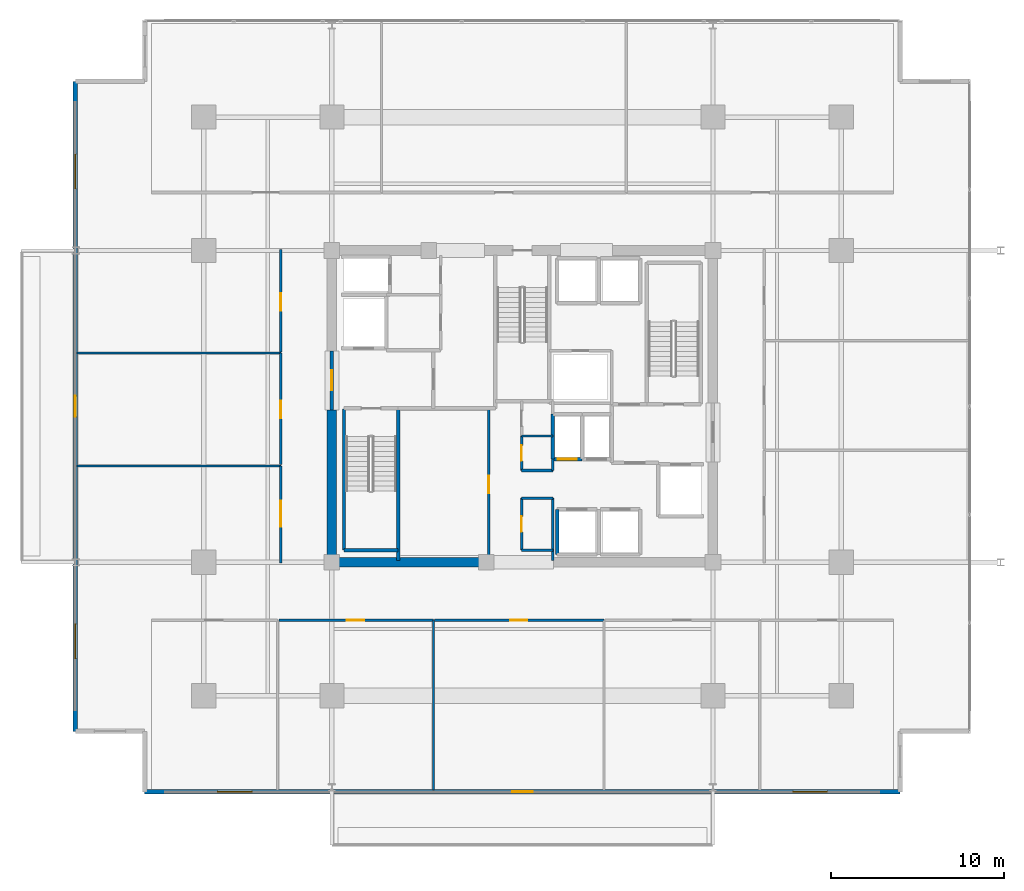
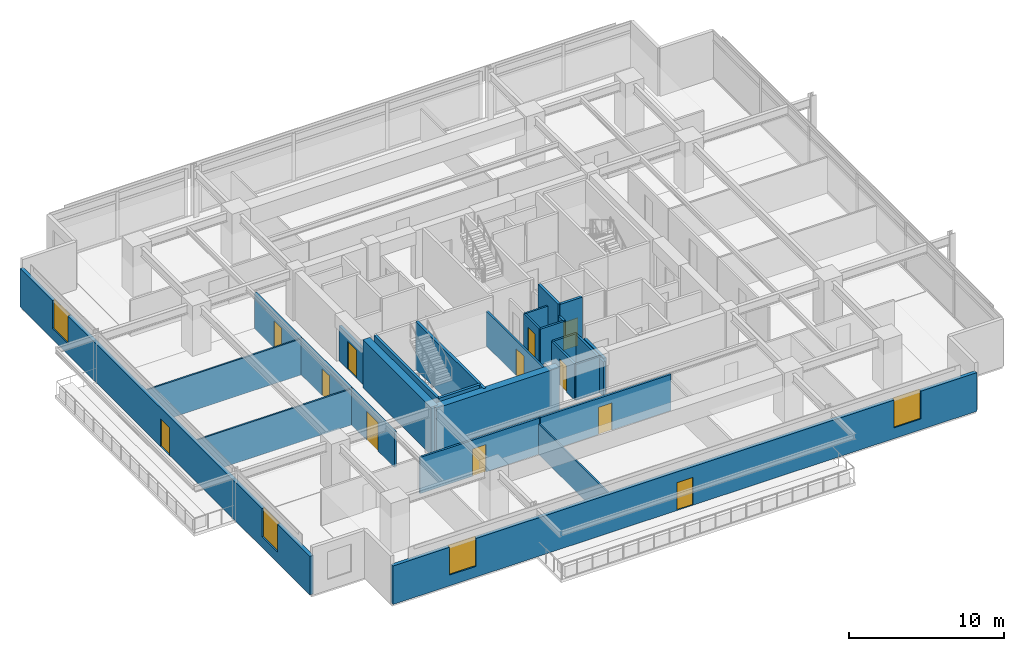
# One storey, part 14 of 22: 28 walls, 12 doors, 4 windows, 16 openings.
"""IFC4 building model written with IfcOpenShell, lengths in metres."""

from ifc_helpers import new_model, si_unit, direction, frame, frame_2d, origin, place, context, subcontext, project, spatial, rectangle, extrude, material, layer, layer_set, type_object, element, fill, save


model = new_model("IFC4")

# Units and contexts
model_context = context("Model", 3, precision=1e-05, world=origin(), true_north=direction((0.0, 1.0)))
body_context = subcontext(model_context, "Body", "Model", "MODEL_VIEW")
ifc_project = project(units=[si_unit("LENGTHUNIT", "METRE"), si_unit("AREAUNIT", "SQUARE_METRE"), si_unit("VOLUMEUNIT", "CUBIC_METRE"), si_unit("PLANEANGLEUNIT", "RADIAN"), si_unit("MASSUNIT", "GRAM", prefix="KILO")], contexts=[model_context])

# Site, building, storey
site_placement = place(None, origin())
site = spatial("IfcSite", under=ifc_project, at=site_placement, CompositionType="ELEMENT")
building_placement = place(site_placement, origin())
building = spatial("IfcBuilding", under=site, at=building_placement, Name="Kovane Verandah Tower", CompositionType="ELEMENT")
storey_placement = place(building_placement, frame((0.0, 0.0, 225.199951171875)))
storey = spatial("IfcBuildingStorey", under=building, at=storey_placement, Name="L52", CompositionType="ELEMENT", Elevation=225.199951171875)

# Walls
ifc_material_1 = material(Name="Fire-Rated Gypsum Stud Partition", Category="gypsum")
ifc_layer_1 = layer(ifc_material_1, 0.14990234375)
ifc_layer_set_1 = layer_set([ifc_layer_1], Name="Fire-Rated Gypsum Stud Partition")
wall_type_1 = type_object("IfcWallType", Name="WL-COR-150", PredefinedType="PARTITIONING", material=ifc_layer_set_1)
for number, where, z_axis, x_axis, name in (
    (1, (39.949951171875, 19.199951171875, 0.0), (0.0, 0.0, 1.0), (1.0, 0.0, 0.0), "L52 Central Core Strip South Wall"),
    (2, (39.949951171875, 22.199951171875, 0.0), (0.0, 0.0, 1.0), (1.0, 0.0, 0.0), "L52 Core Cross-Passage South Wall"),
    (3, (39.949951171875, 23.800048828125, 0.0), (0.0, 0.0, 1.0), (1.0, 0.0, 0.0), "L52 Core Cross-Passage North Wall"),
):
    element("IfcWall", number, at=place(storey_placement, frame(where, z_axis=z_axis, x_axis=x_axis)), inside=storey, type_object=wall_type_1, Name=name, PredefinedType="PARTITIONING", context=body_context, shape_type="SweptSolid", body=[
        extrude(rectangle(XDim=1.81005859375, YDim=0.14990234375, at=frame_2d((0.905029296875, 0.0))), origin(), (0.0, 0.0, 1.0), 2.85009765625),
    ])
wall_1_placement = place(storey_placement, frame((41.760009765625, 18.60009765625, 0.0), z_axis=(0.0, 0.0, 1.0), x_axis=(0.0, 1.0, 0.0)))
element("IfcWall", 4, at=wall_1_placement, inside=storey, type_object=wall_type_1, Name="L52 Central Core Strip Lower East Wall", PredefinedType="PARTITIONING", context=body_context, shape_type="SweptSolid", body=[
    extrude(rectangle(XDim=3.599853515625, YDim=0.14990234375, at=frame_2d((1.7998046875, 0.0))), origin(), (0.0, 0.0, 1.0), 2.755126953125),
])
wall_2_placement = place(storey_placement, frame((41.760009765625, 23.800048828125, 0.0), z_axis=(0.0, 0.0, 1.0), x_axis=(0.0, 1.0, 0.0)))
element("IfcWall", 5, at=wall_2_placement, inside=storey, type_object=wall_type_1, Name="L52 Central Core Strip Middle East Wall", PredefinedType="PARTITIONING", context=body_context, shape_type="SweptSolid", body=[
    extrude(rectangle(XDim=0.64990234375, YDim=0.14990234375, at=frame_2d((0.324951171875, 0.0))), origin(), (0.0, 0.0, 1.0), 2.85009765625),
])

# Wall, opening, door
wall_3_placement = place(storey_placement, frame((39.949951171875, 19.199951171875, 0.0), z_axis=(0.0, 0.0, 1.0), x_axis=(0.0, 1.0, 0.0)))
wall_3 = element("IfcWall", 6, at=wall_3_placement, inside=storey, type_object=wall_type_1, Name="L52 Male Toilet Partition", PredefinedType="PARTITIONING", context=body_context, shape_type="SweptSolid", body=[
    extrude(rectangle(XDim=3.0, YDim=0.14990234375, at=frame_2d((1.5, 0.0))), origin(), (0.0, 0.0, 1.0), 2.85009765625),
])
opening_1_placement = place(wall_3_placement, frame((1.050048828125, 0.0, 0.0)))
opening_1 = element("IfcOpeningElement", 7, at=opening_1_placement, cuts=wall_3, Name="Opening DR-L52-028", PredefinedType="OPENING", context=body_context, shape_type="SweptSolid", body=[
    extrude(rectangle(XDim=0.89990234375, YDim=2.10009765625, at=frame_2d((0.449951171875, 1.050048828125))), frame((0.0, 0.074951171875, 0.0), z_axis=(0.0, -1.0, 0.0), x_axis=(1.0, 0.0, 0.0)), (0.0, 0.0, 1.0), 0.14990234375),
])
ifc_material_2 = material(Name="Moisture-Resistant Laminate Washroom Door", Category="wood")
door_type_1 = type_object("IfcDoorType", Name="DR-WC-900", OperationType="SINGLE_SWING_LEFT", PredefinedType="DOOR", material=ifc_material_2)
door_1_placement = place(opening_1_placement, origin())
door_1 = element("IfcDoor", 8, at=door_1_placement, inside=storey, type_object=door_type_1, Name="L52 Male Toilet Door", OperationType="SINGLE_SWING_RIGHT", OverallHeight=2.10009765625, OverallWidth=0.89990234375, PredefinedType="DOOR", context=body_context, shape_type="SweptSolid", body=[
    extrude(rectangle(XDim=0.89990234375, YDim=2.10009765625, at=frame_2d((0.449951171875, 1.050048828125))), frame((0.0, 0.02490234375, 0.0), z_axis=(0.0, -1.0, 0.0), x_axis=(1.0, 0.0, 0.0)), (0.0, 0.0, 1.0), 0.050048828125),
])
fill(opening_1, door_1)

wall_4_placement = place(storey_placement, frame((39.949951171875, 23.800048828125, 0.0), z_axis=(0.0, 0.0, 1.0), x_axis=(0.0, 1.0, 0.0)))
wall_4 = element("IfcWall", 9, at=wall_4_placement, inside=storey, type_object=wall_type_1, Name="L52 Female Toilet Partition", PredefinedType="PARTITIONING", context=body_context, shape_type="SweptSolid", body=[
    extrude(rectangle(XDim=2.0, YDim=0.14990234375, at=frame_2d((1.0, 0.0))), origin(), (0.0, 0.0, 1.0), 2.85009765625),
])
opening_2_placement = place(wall_4_placement, frame((0.550048828125, 0.0, 0.0)))
opening_2 = element("IfcOpeningElement", 10, at=opening_2_placement, cuts=wall_4, Name="Opening DR-L52-027", PredefinedType="OPENING", context=body_context, shape_type="SweptSolid", body=[
    extrude(rectangle(XDim=0.89990234375, YDim=2.10009765625, at=frame_2d((0.449951171875, 1.050048828125))), frame((0.0, 0.074951171875, 0.0), z_axis=(0.0, -1.0, 0.0), x_axis=(1.0, 0.0, 0.0)), (0.0, 0.0, 1.0), 0.14990234375),
])
door_2_placement = place(opening_2_placement, origin())
door_2 = element("IfcDoor", 11, at=door_2_placement, inside=storey, type_object=door_type_1, Name="L52 Female Toilet Door", OperationType="SINGLE_SWING_LEFT", OverallHeight=2.10009765625, OverallWidth=0.89990234375, PredefinedType="DOOR", context=body_context, shape_type="SweptSolid", body=[
    extrude(rectangle(XDim=0.89990234375, YDim=2.10009765625, at=frame_2d((0.449951171875, 1.050048828125))), frame((0.0, 0.02490234375, 0.0), z_axis=(0.0, -1.0, 0.0), x_axis=(1.0, 0.0, 0.0)), (0.0, 0.0, 1.0), 0.050048828125),
])
fill(opening_2, door_2)

wall_5_placement = place(storey_placement, frame((38.050048828125, 18.60009765625, 0.0), z_axis=(0.0, 0.0, 1.0), x_axis=(0.0, 1.0, 0.0)))
wall_5 = element("IfcWall", 12, at=wall_5_placement, inside=storey, type_object=wall_type_1, Name="L52 Tenant Wellness and Archive Suite Partition", PredefinedType="PARTITIONING", context=body_context, shape_type="SweptSolid", body=[
    extrude(rectangle(XDim=8.77978515625, YDim=0.14990234375, at=frame_2d((4.389892578125, 0.0))), origin(), (0.0, 0.0, 1.0), 2.755126953125),
])
opening_3_placement = place(wall_5_placement, frame((3.889892578125, 0.0, 0.0)))
opening_3 = element("IfcOpeningElement", 13, at=opening_3_placement, cuts=wall_5, Name="Opening DR-L52-015", PredefinedType="OPENING", context=body_context, shape_type="SweptSolid", body=[
    extrude(rectangle(XDim=1.0, YDim=2.14990234375, at=frame_2d((0.5, 1.074951171875))), frame((0.0, 0.074951171875, 0.0), z_axis=(0.0, -1.0, 0.0), x_axis=(1.0, 0.0, 0.0)), (0.0, 0.0, 1.0), 0.14990234375),
])
ifc_material_3 = material(Name="FSC Spotted-Gum Timber Fire-Rated Office Door", Category="wood")
door_type_2 = type_object("IfcDoorType", Name="DR-OFF-1000", OperationType="SINGLE_SWING_LEFT", PredefinedType="DOOR", material=ifc_material_3)
door_3_placement = place(opening_3_placement, origin())
door_3 = element("IfcDoor", 14, at=door_3_placement, inside=storey, type_object=door_type_2, Name="L52 Tenant Wellness and Archive Suite Door", OperationType="SINGLE_SWING_LEFT", OverallHeight=2.14990234375, OverallWidth=1.0, PredefinedType="DOOR", context=body_context, shape_type="SweptSolid", body=[
    extrude(rectangle(XDim=1.0, YDim=2.14990234375, at=frame_2d((0.5, 1.074951171875))), frame((0.0, 0.02490234375, 0.0), z_axis=(0.0, -1.0, 0.0), x_axis=(1.0, 0.0, 0.0)), (0.0, 0.0, 1.0), 0.050048828125),
])
fill(opening_3, door_3)

wall_6_placement = place(storey_placement, frame((25.939697265625, 15.14990234375, 0.0), z_axis=(0.0, 0.0, 1.0), x_axis=(1.0, 0.0, 0.0)))
wall_6 = element("IfcWall", 15, at=wall_6_placement, inside=storey, type_object=wall_type_1, Name="L52 Collaboration Hub S2 Corridor Partition", PredefinedType="PARTITIONING", context=body_context, shape_type="SweptSolid", body=[
    extrude(rectangle(XDim=8.922119140625, YDim=0.14990234375, at=frame_2d((4.4609375, 0.0))), origin(), (0.0, 0.0, 1.0), 2.85009765625),
])
opening_4_placement = place(wall_6_placement, frame((3.926025390625, 0.0, 0.0)))
opening_4 = element("IfcOpeningElement", 16, at=opening_4_placement, cuts=wall_6, Name="Opening DR-L52-021", PredefinedType="OPENING", context=body_context, shape_type="SweptSolid", body=[
    extrude(rectangle(XDim=1.0, YDim=2.14990234375, at=frame_2d((0.5, 1.074951171875))), frame((0.0, 0.074951171875, 0.0), z_axis=(0.0, -1.0, 0.0), x_axis=(1.0, 0.0, 0.0)), (0.0, 0.0, 1.0), 0.14990234375),
])
door_4_placement = place(opening_4_placement, origin())
door_4 = element("IfcDoor", 17, at=door_4_placement, inside=storey, type_object=door_type_2, Name="L52 Collaboration Hub S2 Entrance Door", OperationType="SINGLE_SWING_LEFT", OverallHeight=2.14990234375, OverallWidth=1.0, PredefinedType="DOOR", context=body_context, shape_type="SweptSolid", body=[
    extrude(rectangle(XDim=1.0, YDim=2.14990234375, at=frame_2d((0.5, 1.074951171875))), frame((0.0, 0.02490234375, 0.0), z_axis=(0.0, -1.0, 0.0), x_axis=(1.0, 0.0, 0.0)), (0.0, 0.0, 1.0), 0.050048828125),
])
fill(opening_4, door_4)

wall_7_placement = place(storey_placement, frame((34.931640625, 15.14990234375, 0.0), z_axis=(0.0, 0.0, 1.0), x_axis=(1.0, 0.0, 0.0)))
wall_7 = element("IfcWall", 18, at=wall_7_placement, inside=storey, type_object=wall_type_1, Name="L52 Document and Print Room S3 Corridor Partition", PredefinedType="PARTITIONING", context=body_context, shape_type="SweptSolid", body=[
    extrude(rectangle(XDim=9.778564453125, YDim=0.14990234375, at=frame_2d((4.88916015625, 0.0))), origin(), (0.0, 0.0, 1.0), 2.85009765625),
])
opening_5_placement = place(wall_7_placement, frame((4.354248046875, 0.0, 0.0)))
opening_5 = element("IfcOpeningElement", 19, at=opening_5_placement, cuts=wall_7, Name="Opening DR-L52-022", PredefinedType="OPENING", context=body_context, shape_type="SweptSolid", body=[
    extrude(rectangle(XDim=1.0, YDim=2.14990234375, at=frame_2d((0.5, 1.074951171875))), frame((0.0, 0.074951171875, 0.0), z_axis=(0.0, -1.0, 0.0), x_axis=(1.0, 0.0, 0.0)), (0.0, 0.0, 1.0), 0.14990234375),
])
door_5_placement = place(opening_5_placement, origin())
door_5 = element("IfcDoor", 20, at=door_5_placement, inside=storey, type_object=door_type_2, Name="L52 Document and Print Room S3 Entrance Door", OperationType="SINGLE_SWING_RIGHT", OverallHeight=2.14990234375, OverallWidth=1.0, PredefinedType="DOOR", context=body_context, shape_type="SweptSolid", body=[
    extrude(rectangle(XDim=1.0, YDim=2.14990234375, at=frame_2d((0.5, 1.074951171875))), frame((0.0, 0.02490234375, 0.0), z_axis=(0.0, -1.0, 0.0), x_axis=(1.0, 0.0, 0.0)), (0.0, 0.0, 1.0), 0.050048828125),
])
fill(opening_5, door_5)

wall_8_placement = place(storey_placement, frame((26.050048828125, 18.449951171875, 0.0), z_axis=(0.0, 0.0, 1.0), x_axis=(0.0, 1.0, 0.0)))
wall_8 = element("IfcWall", 21, at=wall_8_placement, inside=storey, type_object=wall_type_1, Name="L52 Client Boardroom W1 Corridor Partition", PredefinedType="PARTITIONING", context=body_context, shape_type="SweptSolid", body=[
    extrude(rectangle(XDim=5.611083984375, YDim=0.14990234375, at=frame_2d((2.8056640625, 0.0))), origin(), (0.0, 0.0, 1.0), 2.85009765625),
])
opening_6_placement = place(wall_8_placement, frame((2.095458984375, 0.0, 0.0)))
opening_6 = element("IfcOpeningElement", 22, at=opening_6_placement, cuts=wall_8, Name="Opening DR-L52-029", PredefinedType="OPENING", context=body_context, shape_type="SweptSolid", body=[
    extrude(rectangle(XDim=1.5, YDim=2.25, at=frame_2d((0.75, 1.125))), frame((0.0, 0.074951171875, 0.0), z_axis=(0.0, -1.0, 0.0), x_axis=(1.0, 0.0, 0.0)), (0.0, 0.0, 1.0), 0.14990234375),
])
ifc_material_4 = material(Name="Glazed Timber Fire-Rated Double Door", Category="wood")
door_type_3 = type_object("IfcDoorType", Name="DR-CONF-1500", OperationType="DOUBLE_DOOR_SINGLE_SWING", PredefinedType="DOOR", material=ifc_material_4)
door_6_placement = place(opening_6_placement, origin())
door_6 = element("IfcDoor", 23, at=door_6_placement, inside=storey, type_object=door_type_3, Name="L52 Client Boardroom W1 Entrance Door", OperationType="DOUBLE_DOOR_SINGLE_SWING", OverallHeight=2.25, OverallWidth=1.5, PredefinedType="DOOR", context=body_context, shape_type="SweptSolid", body=[
    extrude(rectangle(XDim=1.5, YDim=2.25, at=frame_2d((0.75, 1.125))), frame((0.0, 0.02490234375, 0.0), z_axis=(0.0, -1.0, 0.0), x_axis=(1.0, 0.0, 0.0)), (0.0, 0.0, 1.0), 0.050048828125),
])
fill(opening_6, door_6)

wall_9_placement = place(storey_placement, frame((26.050048828125, 24.131103515625, 0.0), z_axis=(0.0, 0.0, 1.0), x_axis=(0.0, 1.0, 0.0)))
wall_9 = element("IfcWall", 24, at=wall_9_placement, inside=storey, type_object=wall_type_1, Name="L52 Meeting Room W2 Corridor Partition", PredefinedType="PARTITIONING", context=body_context, shape_type="SweptSolid", body=[
    extrude(rectangle(XDim=6.44580078125, YDim=0.14990234375, at=frame_2d((3.222900390625, 0.0))), origin(), (0.0, 0.0, 1.0), 2.85009765625),
])
opening_7_placement = place(wall_9_placement, frame((2.68798828125, 0.0, 0.0)))
opening_7 = element("IfcOpeningElement", 25, at=opening_7_placement, cuts=wall_9, Name="Opening DR-L52-030", PredefinedType="OPENING", context=body_context, shape_type="SweptSolid", body=[
    extrude(rectangle(XDim=1.0, YDim=2.14990234375, at=frame_2d((0.5, 1.074951171875))), frame((0.0, 0.074951171875, 0.0), z_axis=(0.0, -1.0, 0.0), x_axis=(1.0, 0.0, 0.0)), (0.0, 0.0, 1.0), 0.14990234375),
])
door_7_placement = place(opening_7_placement, origin())
door_7 = element("IfcDoor", 26, at=door_7_placement, inside=storey, type_object=door_type_2, Name="L52 Meeting Room W2 Entrance Door", OperationType="SINGLE_SWING_RIGHT", OverallHeight=2.14990234375, OverallWidth=1.0, PredefinedType="DOOR", context=body_context, shape_type="SweptSolid", body=[
    extrude(rectangle(XDim=1.0, YDim=2.14990234375, at=frame_2d((0.5, 1.074951171875))), frame((0.0, 0.02490234375, 0.0), z_axis=(0.0, -1.0, 0.0), x_axis=(1.0, 0.0, 0.0)), (0.0, 0.0, 1.0), 0.050048828125),
])
fill(opening_7, door_7)

wall_10_placement = place(storey_placement, frame((26.050048828125, 30.64697265625, 0.0), z_axis=(0.0, 0.0, 1.0), x_axis=(0.0, 1.0, 0.0)))
wall_10 = element("IfcWall", 27, at=wall_10_placement, inside=storey, type_object=wall_type_1, Name="L52 Focus Studio W3 Corridor Partition", PredefinedType="PARTITIONING", context=body_context, shape_type="SweptSolid", body=[
    extrude(rectangle(XDim=5.903076171875, YDim=0.14990234375, at=frame_2d((2.95166015625, 0.0))), origin(), (0.0, 0.0, 1.0), 2.85009765625),
])
opening_8_placement = place(wall_10_placement, frame((2.37646484375, 0.0, 0.0)))
opening_8 = element("IfcOpeningElement", 28, at=opening_8_placement, cuts=wall_10, Name="Opening DR-L52-031", PredefinedType="OPENING", context=body_context, shape_type="SweptSolid", body=[
    extrude(rectangle(XDim=1.0, YDim=2.14990234375, at=frame_2d((0.5, 1.074951171875))), frame((0.0, 0.074951171875, 0.0), z_axis=(0.0, -1.0, 0.0), x_axis=(1.0, 0.0, 0.0)), (0.0, 0.0, 1.0), 0.14990234375),
])
door_8_placement = place(opening_8_placement, origin())
door_8 = element("IfcDoor", 29, at=door_8_placement, inside=storey, type_object=door_type_2, Name="L52 Focus Studio W3 Entrance Door", OperationType="SINGLE_SWING_LEFT", OverallHeight=2.14990234375, OverallWidth=1.0, PredefinedType="DOOR", context=body_context, shape_type="SweptSolid", body=[
    extrude(rectangle(XDim=1.0, YDim=2.14990234375, at=frame_2d((0.5, 1.074951171875))), frame((0.0, 0.02490234375, 0.0), z_axis=(0.0, -1.0, 0.0), x_axis=(1.0, 0.0, 0.0)), (0.0, 0.0, 1.0), 0.050048828125),
])
fill(opening_8, door_8)

# Walls
ifc_material_5 = material(Name="Concrete C60/75", Category="concrete")
ifc_layer_2 = layer(ifc_material_5, 0.550048828125)
ifc_layer_set_2 = layer_set([ifc_layer_2], Name="Concrete C60/75")
wall_type_2 = type_object("IfcWallType", Name="WL-CORE-550", PredefinedType="SHEAR", material=ifc_layer_set_2)
wall_11_placement = place(storey_placement, frame((29.0, 18.5, 0.0), z_axis=(0.0, 0.0, 1.0), x_axis=(1.0, 0.0, 0.0)))
element("IfcWall", 30, at=wall_11_placement, inside=storey, type_object=wall_type_2, Name="L52 Core Shear Wall CS-1", PredefinedType="SHEAR", context=body_context, shape_type="SweptSolid", body=[
    extrude(rectangle(XDim=9.199951171875, YDim=0.550048828125, at=frame_2d((4.60009765625, 0.0))), origin(), (0.0, 0.0, 1.0), 3.775146484375),
])
wall_12_placement = place(storey_placement, frame((29.0, 18.5, 0.0), z_axis=(0.0, 0.0, 1.0), x_axis=(0.0, 1.0, 0.0)))
element("IfcWall", 31, at=wall_12_placement, inside=storey, type_object=wall_type_2, Name="L52 Core Shear Wall CW-1", PredefinedType="SHEAR", context=body_context, shape_type="SweptSolid", body=[
    extrude(rectangle(XDim=8.800048828125, YDim=0.550048828125, at=frame_2d((4.39990234375, 0.0))), origin(), (0.0, 0.0, 1.0), 3.775146484375),
])

# Wall, opening, door
ifc_material_6 = material(Name="Concrete C45/55 Fire Wall", Category="concrete")
ifc_layer_3 = layer(ifc_material_6, 0.199951171875)
ifc_layer_set_3 = layer_set([ifc_layer_3], Name="Concrete C45/55 Fire Wall")
wall_type_3 = type_object("IfcWallType", Name="WL-FFL-200", PredefinedType="PARTITIONING", material=ifc_layer_set_3)
wall_13_placement = place(storey_placement, frame((29.0, 27.300048828125, 0.0), z_axis=(0.0, 0.0, 1.0), x_axis=(0.0, 1.0, 0.0)))
wall_13 = element("IfcWall", 32, at=wall_13_placement, inside=storey, type_object=wall_type_3, Name="W-L52-FFLW-OUT", PredefinedType="PARTITIONING", context=body_context, shape_type="SweptSolid", body=[
    extrude(rectangle(XDim=3.39990234375, YDim=0.199951171875, at=frame_2d((1.699951171875, 0.0))), origin(), (0.0, 0.0, 1.0), 2.755126953125),
])
opening_9_placement = place(wall_13_placement, frame((1.125, 0.0, 0.0)))
opening_9 = element("IfcOpeningElement", 33, at=opening_9_placement, cuts=wall_13, Name="Opening DR-L52-007", PredefinedType="OPENING", context=body_context, shape_type="SweptSolid", body=[
    extrude(rectangle(XDim=1.14990234375, YDim=2.199951171875, at=frame_2d((0.574951171875, 1.10009765625))), frame((0.0, 0.10009765625, 0.0), z_axis=(0.0, -1.0, 0.0), x_axis=(1.0, 0.0, 0.0)), (0.0, 0.0, 1.0), 0.199951171875),
])
ifc_material_7 = material(Name="Smoke-Sealed Firefighting Lobby Door", Category="steel")
door_type_4 = type_object("IfcDoorType", Name="DR-FFL-1150", OperationType="SINGLE_SWING_LEFT", PredefinedType="DOOR", material=ifc_material_7)
door_9_placement = place(opening_9_placement, origin())
door_9 = element("IfcDoor", 34, at=door_9_placement, inside=storey, type_object=door_type_4, Name="L52 West Firefighting Lobby Corridor Door", OperationType="SINGLE_SWING_RIGHT", OverallHeight=2.199951171875, OverallWidth=1.14990234375, PredefinedType="DOOR", context=body_context, shape_type="SweptSolid", body=[
    extrude(rectangle(XDim=1.14990234375, YDim=2.199951171875, at=frame_2d((0.574951171875, 1.10009765625))), frame((0.0, 0.02490234375, 0.0), z_axis=(0.0, -1.0, 0.0), x_axis=(1.0, 0.0, 0.0)), (0.0, 0.0, 1.0), 0.050048828125),
])
fill(opening_9, door_9)

# Wall
ifc_material_8 = material(Name="Concrete C45/55 Lift Shaft Wall", Category="concrete")
ifc_layer_4 = layer(ifc_material_8, 0.199951171875)
ifc_layer_set_4 = layer_set([ifc_layer_4], Name="Concrete C45/55 Lift Shaft Wall")
wall_type_4 = type_object("IfcWallType", Name="WL-LIFT-200", PredefinedType="SOLIDWALL", material=ifc_layer_set_4)
wall_14_placement = place(storey_placement, frame((42.0, 21.550048828125, 0.0), z_axis=(0.0, 0.0, 1.0), x_axis=(0.0, -1.0, 0.0)))
element("IfcWall", 35, at=wall_14_placement, inside=storey, type_object=wall_type_4, Name="L52 Lift PL-M1 W Shaft Wall", PredefinedType="SOLIDWALL", context=body_context, shape_type="SweptSolid", body=[
    extrude(rectangle(XDim=2.60009765625, YDim=0.199951171875, at=frame_2d((1.300048828125, 0.0))), origin(), (0.0, 0.0, 1.0), 2.755126953125),
])

# Wall, opening, door
wall_15_placement = place(storey_placement, frame((41.760009765625, 24.449951171875, 0.0), z_axis=(0.0, 0.0, 1.0), x_axis=(1.0, 0.0, 0.0)))
wall_15 = element("IfcWall", 36, at=wall_15_placement, inside=storey, type_object=wall_type_4, Name="L52 Lift PL-M3 S Shaft Wall", PredefinedType="SOLIDWALL", context=body_context, shape_type="SweptSolid", body=[
    extrude(rectangle(XDim=1.679931640625, YDim=0.199951171875, at=frame_2d((0.83984375, 0.0))), origin(), (0.0, 0.0, 1.0), 3.775146484375),
])
opening_10_placement = place(wall_15_placement, frame((0.2900390625, 0.0, 0.0)))
opening_10 = element("IfcOpeningElement", 37, at=opening_10_placement, cuts=wall_15, Name="Opening LD-L52-006", PredefinedType="OPENING", context=body_context, shape_type="SweptSolid", body=[
    extrude(rectangle(XDim=1.10009765625, YDim=2.199951171875, at=frame_2d((0.550048828125, 1.10009765625))), frame((0.0, 0.10009765625, 0.0), z_axis=(0.0, -1.0, 0.0), x_axis=(1.0, 0.0, 0.0)), (0.0, 0.0, 1.0), 0.199951171875),
])
ifc_material_9 = material(Name="Brushed Stainless Steel Sliding Lift Landing Door", Category="steel")
door_type_5 = type_object("IfcDoorType", Name="DR-LIFT-1100", OperationType="SLIDING_TO_RIGHT", PredefinedType="DOOR", material=ifc_material_9)
door_10_placement = place(opening_10_placement, origin())
door_10 = element("IfcDoor", 38, at=door_10_placement, inside=storey, type_object=door_type_5, Name="L52 Lift PL-M3 Sliding Landing Door", OperationType="SLIDING_TO_RIGHT", OverallHeight=2.199951171875, OverallWidth=1.10009765625, PredefinedType="DOOR", context=body_context, shape_type="SweptSolid", body=[
    extrude(rectangle(XDim=1.10009765625, YDim=2.199951171875, at=frame_2d((0.550048828125, 1.10009765625))), frame((0.0, 0.02490234375, 0.0), z_axis=(0.0, -1.0, 0.0), x_axis=(1.0, 0.0, 0.0)), (0.0, 0.0, 1.0), 0.050048828125),
])
fill(opening_10, door_10)

# Walls
wall_16_placement = place(storey_placement, frame((41.760009765625, 27.050048828125, 0.0), z_axis=(0.0, 0.0, 1.0), x_axis=(0.0, -1.0, 0.0)))
element("IfcWall", 39, at=wall_16_placement, inside=storey, type_object=wall_type_4, Name="L52 Lift PL-M3 W Shaft Wall", PredefinedType="SOLIDWALL", context=body_context, shape_type="SweptSolid", body=[
    extrude(rectangle(XDim=2.60009765625, YDim=0.199951171875, at=frame_2d((1.300048828125, 0.0))), origin(), (0.0, 0.0, 1.0), 3.775146484375),
])
ifc_material_10 = material(Name="Acoustic Fire-Rated Gypsum Partition", Category="gypsum")
ifc_layer_5 = layer(ifc_material_10, 0.1201171875)
ifc_layer_set_5 = layer_set([ifc_layer_5], Name="Acoustic Fire-Rated Gypsum Partition")
wall_type_5 = type_object("IfcWallType", Name="WL-PART-120", PredefinedType="PARTITIONING", material=ifc_layer_set_5)
wall_17_placement = place(storey_placement, frame((39.949951171875, 25.800048828125, 0.0), z_axis=(0.0, 0.0, 1.0), x_axis=(1.0, 0.0, 0.0)))
element("IfcWall", 40, at=wall_17_placement, inside=storey, type_object=wall_type_5, Name="L52 Central Core Strip Upper Dividing Partition", PredefinedType="PARTITIONING", context=body_context, shape_type="SweptSolid", body=[
    extrude(rectangle(XDim=1.81005859375, YDim=0.1201171875, at=frame_2d((0.905029296875, 0.0))), origin(), (0.0, 0.0, 1.0), 2.85009765625),
])
wall_18_placement = place(storey_placement, frame((34.86181640625, 5.34375, 0.0), z_axis=(0.0, 0.0, 1.0), x_axis=(0.0, 1.0, 0.0)))
element("IfcWall", 41, at=wall_18_placement, inside=storey, type_object=wall_type_5, Name="L52 Collaboration Hub S2 Dividing Partition", PredefinedType="PARTITIONING", context=body_context, shape_type="SweptSolid", body=[
    extrude(rectangle(XDim=9.80615234375, YDim=0.1201171875, at=frame_2d((4.903076171875, 0.0))), origin(), (0.0, 0.0, 1.0), 2.405029296875),
])
for number, where, z_axis, x_axis, name in (
    (42, (14.290283203125, 24.06103515625, 0.0), (0.0, 0.0, 1.0), (1.0, 0.0, 0.0), "L52 Client Boardroom W1 Dividing Partition"),
    (43, (14.290283203125, 30.576904296875, 0.0), (0.0, 0.0, 1.0), (1.0, 0.0, 0.0), "L52 Meeting Room W2 Dividing Partition"),
):
    element("IfcWall", number, at=place(storey_placement, frame(where, z_axis=z_axis, x_axis=x_axis)), inside=storey, type_object=wall_type_5, Name=name, PredefinedType="PARTITIONING", context=body_context, shape_type="SweptSolid", body=[
        extrude(rectangle(XDim=11.759765625, YDim=0.1201171875, at=frame_2d((5.8798828125, 0.0))), origin(), (0.0, 0.0, 1.0), 2.85009765625),
    ])
ifc_material_11 = material(Name="Concrete C45/55", Category="concrete")
ifc_layer_6 = layer(ifc_material_11, 0.199951171875)
ifc_layer_set_6 = layer_set([ifc_layer_6], Name="Concrete C45/55")
wall_type_6 = type_object("IfcWallType", Name="WL-SHAFT-200", PredefinedType="SOLIDWALL", material=ifc_layer_set_6)
wall_19_placement = place(storey_placement, frame((29.699951171875, 19.199951171875, 0.0), z_axis=(0.0, 0.0, 1.0), x_axis=(0.0, 1.0, 0.0)))
element("IfcWall", 44, at=wall_19_placement, inside=storey, type_object=wall_type_6, Name="W-L52-ST01-W", PredefinedType="SOLIDWALL", context=body_context, shape_type="SweptSolid", body=[
    extrude(rectangle(XDim=8.150146484375, YDim=0.199951171875, at=frame_2d((4.0751953125, 0.0))), origin(), (0.0, 0.0, 1.0), 3.775146484375),
])
wall_20_placement = place(storey_placement, frame((29.699951171875, 19.199951171875, 0.0), z_axis=(0.0, 0.0, 1.0), x_axis=(1.0, 0.0, 0.0)))
element("IfcWall", 45, at=wall_20_placement, inside=storey, type_object=wall_type_6, Name="W-L52-ST01-S", PredefinedType="SOLIDWALL", context=body_context, shape_type="SweptSolid", body=[
    extrude(rectangle(XDim=3.1201171875, YDim=0.199951171875, at=frame_2d((1.56005859375, 0.0))), origin(), (0.0, 0.0, 1.0), 3.775146484375),
])
wall_21_placement = place(storey_placement, frame((32.820068359375, 18.60009765625, 0.0), z_axis=(0.0, 0.0, 1.0), x_axis=(0.0, 1.0, 0.0)))
element("IfcWall", 46, at=wall_21_placement, inside=storey, type_object=wall_type_6, Name="W-L52-ST01-E", PredefinedType="SOLIDWALL", context=body_context, shape_type="SweptSolid", body=[
    extrude(rectangle(XDim=8.77978515625, YDim=0.199951171875, at=frame_2d((4.389892578125, 0.0))), origin(), (0.0, 0.0, 1.0), 3.775146484375),
])

# Wall, openings, door, windows
ifc_material_12 = material(Name="Concrete C45/55 Insulated Spandrel Wall", Category="concrete")
ifc_layer_7 = layer(ifc_material_12, 0.260009765625)
ifc_layer_set_7 = layer_set([ifc_layer_7], Name="Concrete C45/55 Insulated Spandrel Wall")
wall_type_7 = type_object("IfcWallType", Name="WL-SPANDREL-260", PredefinedType="PARAPET", material=ifc_layer_set_7)
wall_22_placement = place(storey_placement, frame((18.190185546875, 5.24365234375, 0.0), z_axis=(0.0, 0.0, 1.0), x_axis=(1.0, 0.0, 0.0)))
wall_22 = element("IfcWall", 47, at=wall_22_placement, inside=storey, type_object=wall_type_7, Name="L52 S Verandah Access Facade Wall", PredefinedType="PARAPET", context=body_context, shape_type="SweptSolid", body=[
    extrude(rectangle(XDim=43.61962890625, YDim=0.260009765625, at=frame_2d((21.809814453125, 0.0))), origin(), (0.0, 0.0, 1.0), 3.047119140625),
])
opening_11_placement = place(wall_22_placement, frame((4.199951171875, 0.0, 0.85009765625)))
opening_11 = element("IfcOpeningElement", 48, at=opening_11_placement, cuts=wall_22, Name="Opening W-04", PredefinedType="OPENING", context=body_context, shape_type="SweptSolid", body=[
    extrude(rectangle(XDim=2.0, YDim=2.300048828125, at=frame_2d((1.0, 1.14990234375))), frame((0.0, 0.1298828125, 0.0), z_axis=(0.0, -1.0, 0.0), x_axis=(1.0, 0.0, 0.0)), (0.0, 0.0, 1.0), 0.260009765625),
])
opening_12_placement = place(wall_22_placement, frame((21.209716796875, 0.0, 0.0)))
opening_12 = element("IfcOpeningElement", 49, at=opening_12_placement, cuts=wall_22, Name="Opening DR-L52-001", PredefinedType="OPENING", context=body_context, shape_type="SweptSolid", body=[
    extrude(rectangle(XDim=1.199951171875, YDim=2.199951171875, at=frame_2d((0.60009765625, 1.10009765625))), frame((0.0, 0.1298828125, 0.0), z_axis=(0.0, -1.0, 0.0), x_axis=(1.0, 0.0, 0.0)), (0.0, 0.0, 1.0), 0.260009765625),
])
opening_13_placement = place(wall_22_placement, frame((37.41943359375, 0.0, 0.85009765625)))
opening_13 = element("IfcOpeningElement", 50, at=opening_13_placement, cuts=wall_22, Name="Opening W-04", PredefinedType="OPENING", context=body_context, shape_type="SweptSolid", body=[
    extrude(rectangle(XDim=2.0, YDim=2.300048828125, at=frame_2d((1.0, 1.14990234375))), frame((0.0, 0.1298828125, 0.0), z_axis=(0.0, -1.0, 0.0), x_axis=(1.0, 0.0, 0.0)), (0.0, 0.0, 1.0), 0.260009765625),
])
ifc_material_13 = material(Name="Cyclone-Rated Glazed Balcony Leaf Door", Category="aluminium")
door_type_6 = type_object("IfcDoorType", Name="DR-BAL-1200x2200", OperationType="SINGLE_SWING_LEFT", PredefinedType="DOOR", material=ifc_material_13)
door_11_placement = place(opening_12_placement, origin())
door_11 = element("IfcDoor", 51, at=door_11_placement, inside=storey, type_object=door_type_6, Name="L52 S Planted Balcony Access Door", OperationType="SINGLE_SWING_LEFT", OverallHeight=2.199951171875, OverallWidth=1.199951171875, PredefinedType="DOOR", context=body_context, shape_type="SweptSolid", body=[
    extrude(rectangle(XDim=1.199951171875, YDim=2.199951171875, at=frame_2d((0.60009765625, 1.10009765625))), frame((0.0, 0.02490234375, 0.0), z_axis=(0.0, -1.0, 0.0), x_axis=(1.0, 0.0, 0.0)), (0.0, 0.0, 1.0), 0.050048828125),
])
fill(opening_12, door_11)
ifc_material_14 = material(Name="Clear Low-E Laminated Double Glazing in Anodised Frame", Category="glass")
window_type = type_object("IfcWindowType", Name="WN-FIXED-2000x2300", PartitioningType="SINGLE_PANEL", PredefinedType="WINDOW", material=ifc_material_14)
window_1_placement = place(opening_11_placement, origin())
window_1 = element("IfcWindow", 52, at=window_1_placement, inside=storey, type_object=window_type, Name="L52 S Verandah View Window 1", OverallHeight=2.300048828125, OverallWidth=2.0, PartitioningType="SINGLE_PANEL", PredefinedType="WINDOW", context=body_context, shape_type="SweptSolid", body=[
    extrude(rectangle(XDim=2.0, YDim=2.300048828125, at=frame_2d((1.0, 1.14990234375))), frame((0.0, 0.030029296875, 0.0), z_axis=(0.0, -1.0, 0.0), x_axis=(1.0, 0.0, 0.0)), (0.0, 0.0, 1.0), 0.06005859375),
])
fill(opening_11, window_1)
window_2_placement = place(opening_13_placement, origin())
window_2 = element("IfcWindow", 53, at=window_2_placement, inside=storey, type_object=window_type, Name="L52 S Verandah View Window 2", OverallHeight=2.300048828125, OverallWidth=2.0, PartitioningType="SINGLE_PANEL", PredefinedType="WINDOW", context=body_context, shape_type="SweptSolid", body=[
    extrude(rectangle(XDim=2.0, YDim=2.300048828125, at=frame_2d((1.0, 1.14990234375))), frame((0.0, 0.030029296875, 0.0), z_axis=(0.0, -1.0, 0.0), x_axis=(1.0, 0.0, 0.0)), (0.0, 0.0, 1.0), 0.06005859375),
])
fill(opening_13, window_2)

wall_23_placement = place(storey_placement, frame((14.190185546875, 46.25634765625, 0.0), z_axis=(0.0, 0.0, 1.0), x_axis=(0.0, -1.0, 0.0)))
wall_23 = element("IfcWall", 54, at=wall_23_placement, inside=storey, type_object=wall_type_7, Name="L52 W Verandah Access Facade Wall", PredefinedType="PARAPET", context=body_context, shape_type="SweptSolid", body=[
    extrude(rectangle(XDim=37.5126953125, YDim=0.260009765625, at=frame_2d((18.75634765625, 0.0))), origin(), (0.0, 0.0, 1.0), 3.047119140625),
])
opening_14_placement = place(wall_23_placement, frame((4.199951171875, 0.0, 0.85009765625)))
opening_14 = element("IfcOpeningElement", 55, at=opening_14_placement, cuts=wall_23, Name="Opening W-04", PredefinedType="OPENING", context=body_context, shape_type="SweptSolid", body=[
    extrude(rectangle(XDim=2.0, YDim=2.300048828125, at=frame_2d((1.0, 1.14990234375))), frame((0.0, 0.1298828125, 0.0), z_axis=(0.0, -1.0, 0.0), x_axis=(1.0, 0.0, 0.0)), (0.0, 0.0, 1.0), 0.260009765625),
])
opening_15_placement = place(wall_23_placement, frame((18.15625, 0.0, 0.0)))
opening_15 = element("IfcOpeningElement", 56, at=opening_15_placement, cuts=wall_23, Name="Opening DR-L52-002", PredefinedType="OPENING", context=body_context, shape_type="SweptSolid", body=[
    extrude(rectangle(XDim=1.199951171875, YDim=2.199951171875, at=frame_2d((0.60009765625, 1.10009765625))), frame((0.0, 0.1298828125, 0.0), z_axis=(0.0, -1.0, 0.0), x_axis=(1.0, 0.0, 0.0)), (0.0, 0.0, 1.0), 0.260009765625),
])
opening_16_placement = place(wall_23_placement, frame((31.3125, 0.0, 0.85009765625)))
opening_16 = element("IfcOpeningElement", 57, at=opening_16_placement, cuts=wall_23, Name="Opening W-04", PredefinedType="OPENING", context=body_context, shape_type="SweptSolid", body=[
    extrude(rectangle(XDim=2.0, YDim=2.300048828125, at=frame_2d((1.0, 1.14990234375))), frame((0.0, 0.1298828125, 0.0), z_axis=(0.0, -1.0, 0.0), x_axis=(1.0, 0.0, 0.0)), (0.0, 0.0, 1.0), 0.260009765625),
])
door_12_placement = place(opening_15_placement, origin())
door_12 = element("IfcDoor", 58, at=door_12_placement, inside=storey, type_object=door_type_6, Name="L52 W Planted Balcony Access Door", OperationType="SINGLE_SWING_LEFT", OverallHeight=2.199951171875, OverallWidth=1.199951171875, PredefinedType="DOOR", context=body_context, shape_type="SweptSolid", body=[
    extrude(rectangle(XDim=1.199951171875, YDim=2.199951171875, at=frame_2d((0.60009765625, 1.10009765625))), frame((0.0, 0.02490234375, 0.0), z_axis=(0.0, -1.0, 0.0), x_axis=(1.0, 0.0, 0.0)), (0.0, 0.0, 1.0), 0.050048828125),
])
fill(opening_15, door_12)
window_3_placement = place(opening_14_placement, origin())
window_3 = element("IfcWindow", 59, at=window_3_placement, inside=storey, type_object=window_type, Name="L52 W Verandah View Window 1", OverallHeight=2.300048828125, OverallWidth=2.0, PartitioningType="SINGLE_PANEL", PredefinedType="WINDOW", context=body_context, shape_type="SweptSolid", body=[
    extrude(rectangle(XDim=2.0, YDim=2.300048828125, at=frame_2d((1.0, 1.14990234375))), frame((0.0, 0.030029296875, 0.0), z_axis=(0.0, -1.0, 0.0), x_axis=(1.0, 0.0, 0.0)), (0.0, 0.0, 1.0), 0.06005859375),
])
fill(opening_14, window_3)
window_4_placement = place(opening_16_placement, origin())
window_4 = element("IfcWindow", 60, at=window_4_placement, inside=storey, type_object=window_type, Name="L52 W Verandah View Window 2", OverallHeight=2.300048828125, OverallWidth=2.0, PartitioningType="SINGLE_PANEL", PredefinedType="WINDOW", context=body_context, shape_type="SweptSolid", body=[
    extrude(rectangle(XDim=2.0, YDim=2.300048828125, at=frame_2d((1.0, 1.14990234375))), frame((0.0, 0.030029296875, 0.0), z_axis=(0.0, -1.0, 0.0), x_axis=(1.0, 0.0, 0.0)), (0.0, 0.0, 1.0), 0.06005859375),
])
fill(opening_16, window_4)

save(model, "model.ifc")
